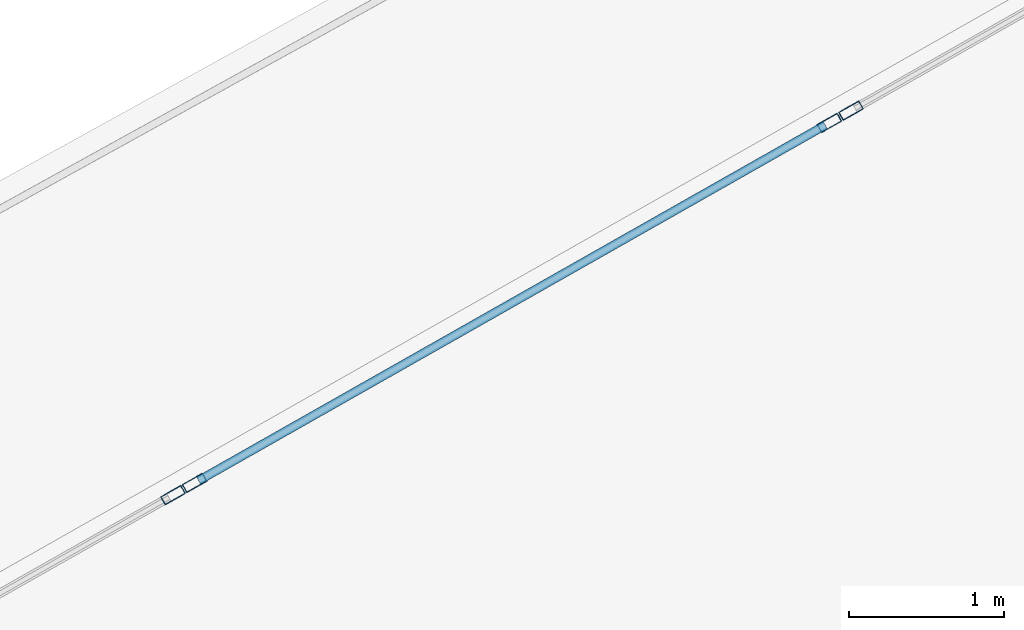
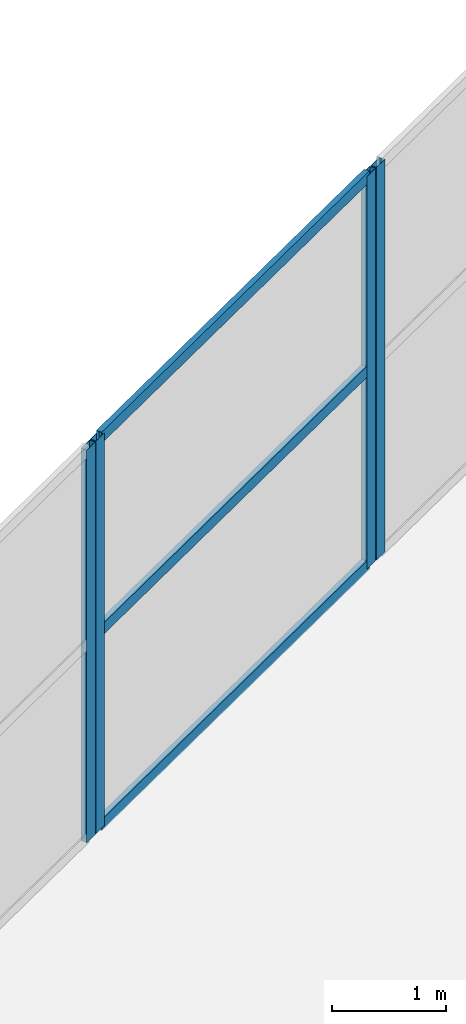
# One storey, part 46 of 123: 7 members, 3 elements without a shape of their own.
"""IFC4 building model written with IfcOpenShell, lengths in metres."""

from ifc_helpers import new_model, si_unit, direction, frame, origin, origin_2d, place, context, subcontext, project, spatial, hollow_rectangle, extrude, material, layer, layer_set, material_profile, profile_set, type_object, element, aggregate, save


model = new_model("IFC4")

# Units and contexts
model_context = context("Model", 3, precision=1e-05, world=origin(), true_north=direction((0.0, 1.0)))
body_context = subcontext(model_context, "Body", "Model", "MODEL_VIEW")
ifc_project = project(units=[si_unit("LENGTHUNIT", "METRE"), si_unit("AREAUNIT", "SQUARE_METRE"), si_unit("VOLUMEUNIT", "CUBIC_METRE"), si_unit("PLANEANGLEUNIT", "RADIAN"), si_unit("MASSUNIT", "GRAM", prefix="KILO")], contexts=[model_context])

# Site, building, storey
site_placement = place(None, origin())
site = spatial("IfcSite", under=ifc_project, at=site_placement, CompositionType="ELEMENT")
building_placement = place(site_placement, origin())
building = spatial("IfcBuilding", under=site, at=building_placement, Name="Kalgoora Escarpment Arena", CompositionType="ELEMENT")
storey_placement = place(building_placement, frame((0.0, 0.0, 9.89990234375)))
storey = spatial("IfcBuildingStorey", under=building, at=storey_placement, Name="L02", CompositionType="ELEMENT", Elevation=9.89990234375)

# Curtain wall, member
ifc_material_1 = material(Name=" Champagne anodised aluminium & double-glazed low-E", Category="aluminium")
ifc_layer_1 = layer(ifc_material_1, 0.162109375)
ifc_layer_set_1 = layer_set([ifc_layer_1], Name="CW-UNIT-13")
curtain_wall_type_1 = type_object("IfcCurtainWallType", Name="CW-UNIT-13", PredefinedType="NOTDEFINED", material=ifc_layer_set_1)
curtain_wall_1_placement = place(storey_placement, origin())
curtain_wall_1 = element("IfcCurtainWall", 1, at=curtain_wall_1_placement, inside=storey, type_object=curtain_wall_type_1, Name="L02 unitised facade curtain wall 072", PredefinedType="NOTDEFINED")
ifc_material_2 = material(Name="Anodised aluminium 6063-T6", Category="aluminium")
ifc_material_profile_1 = material_profile(ifc_material_2, hollow_rectangle(XDim=0.06005859375, YDim=0.14990234375, WallThickness=0.00341796875, at=origin_2d()))
ifc_profile_set_1 = profile_set([ifc_material_profile_1], Name="Anodised aluminium 6063-T6")
member_type_1 = type_object("IfcMemberType", Name="MEM-CW-MULL-150", PredefinedType="MULLION", material=ifc_profile_set_1)
member_1_placement = place(storey_placement, frame((42.481689453125, 112.031494140625, 0.02001953125), z_axis=(0.0, 0.0, 1.0), x_axis=(-0.493330368859, 0.869842024256, 0.0)))
member_1 = element("IfcMember", 2, at=member_1_placement, type_object=member_type_1, Name="CW-13 mullion 2", PredefinedType="MULLION", context=body_context, shape_type="SweptSolid", body=[
    extrude(hollow_rectangle(XDim=0.06005859375, YDim=0.14990234375, WallThickness=0.00341796875, at=origin_2d()), origin(), (0.0, 0.0, 1.0), 4.205078125),
])
aggregate(curtain_wall_1, [member_1])

# Curtain wall, members
ifc_material_3 = material(Name=" Champagne anodised aluminium & double-glazed low-E", Category="aluminium")
ifc_layer_2 = layer(ifc_material_3, 0.166015625)
ifc_layer_set_2 = layer_set([ifc_layer_2], Name="CW-UNIT-14")
curtain_wall_type_2 = type_object("IfcCurtainWallType", Name="CW-UNIT-14", PredefinedType="NOTDEFINED", material=ifc_layer_set_2)
curtain_wall_2_placement = place(storey_placement, origin())
curtain_wall_2 = element("IfcCurtainWall", 3, at=curtain_wall_2_placement, inside=storey, type_object=curtain_wall_type_2, Name="L02 unitised facade curtain wall 073", PredefinedType="NOTDEFINED")
member_2_placement = place(storey_placement, frame((42.62060546875, 112.1103515625, 0.02001953125), z_axis=(0.0, 0.0, 1.0), x_axis=(-0.493346280042, 0.869833000046, 0.0)))
member_2 = element("IfcMember", 4, at=member_2_placement, type_object=member_type_1, Name="CW-14 mullion 1", PredefinedType="MULLION", context=body_context, shape_type="SweptSolid", body=[
    extrude(hollow_rectangle(XDim=0.06005859375, YDim=0.14990234375, WallThickness=0.00341796875, at=origin_2d()), origin(), (0.0, 0.0, 1.0), 4.205078125),
])
member_3_placement = place(storey_placement, frame((46.704833984375, 114.4267578125, 0.02001953125), z_axis=(0.0, 0.0, 1.0), x_axis=(-0.493346280042, 0.869833000046, 0.0)))
member_3 = element("IfcMember", 5, at=member_3_placement, type_object=member_type_1, Name="CW-14 mullion 2", PredefinedType="MULLION", context=body_context, shape_type="SweptSolid", body=[
    extrude(hollow_rectangle(XDim=0.06005859375, YDim=0.14990234375, WallThickness=0.00341796875, at=origin_2d()), origin(), (0.0, 0.0, 1.0), 4.205078125),
])

# Curtain wall, member
ifc_material_4 = material(Name=" Champagne anodised aluminium & double-glazed low-E", Category="aluminium")
ifc_layer_3 = layer(ifc_material_4, 0.14990234375)
ifc_layer_set_3 = layer_set([ifc_layer_3], Name="CW-UNIT-15")
curtain_wall_type_3 = type_object("IfcCurtainWallType", Name="CW-UNIT-15", PredefinedType="NOTDEFINED", material=ifc_layer_set_3)
curtain_wall_3_placement = place(storey_placement, origin())
curtain_wall_3 = element("IfcCurtainWall", 6, at=curtain_wall_3_placement, inside=storey, type_object=curtain_wall_type_3, Name="L02 unitised facade curtain wall 074", PredefinedType="NOTDEFINED")
member_4_placement = place(storey_placement, frame((46.843994140625, 114.505615234375, 0.02001953125), z_axis=(0.0, 0.0, 1.0), x_axis=(-0.49334386581, 0.86983436933, 0.0)))
member_4 = element("IfcMember", 7, at=member_4_placement, type_object=member_type_1, Name="CW-15 mullion 1", PredefinedType="MULLION", context=body_context, shape_type="SweptSolid", body=[
    extrude(hollow_rectangle(XDim=0.06005859375, YDim=0.14990234375, WallThickness=0.00341796875, at=origin_2d()), origin(), (0.0, 0.0, 1.0), 4.205078125),
])
aggregate(curtain_wall_3, [member_4])

# Member
ifc_material_5 = material(Name="Anodised aluminium 6063-T6", Category="aluminium")
ifc_material_profile_2 = material_profile(ifc_material_5, hollow_rectangle(XDim=0.054931640625, YDim=0.1201171875, WallThickness=0.003173828125, at=origin_2d()))
ifc_profile_set_2 = profile_set([ifc_material_profile_2], Name="Anodised aluminium 6063-T6")
member_type_2 = type_object("IfcMemberType", Name="MEM-CW-TRAN-120", PredefinedType="USERDEFINED", material=ifc_profile_set_2)
member_5_placement = place(storey_placement, frame((42.646728515625, 112.125244140625, 0.047607421875), z_axis=(0.8698300925, 0.493351406385, 0.0), x_axis=(-0.493351406385, 0.8698300925, 0.0)))
member_5 = element("IfcMember", 8, at=member_5_placement, type_object=member_type_2, Name="CW-14 transom 1.1", ObjectType="TRANSOM", PredefinedType="USERDEFINED", context=body_context, shape_type="SweptSolid", body=[
    extrude(hollow_rectangle(XDim=0.054931640625, YDim=0.1201171875, WallThickness=0.003173828125, at=origin_2d()), origin(), (0.0, 0.0, 1.0), 4.63525390625),
])

member_6_placement = place(storey_placement, frame((42.646728515625, 112.125244140625, 2.132568359375), z_axis=(0.8698300925, 0.493351406385, 0.0), x_axis=(-0.493351406385, 0.8698300925, 0.0)))
member_6 = element("IfcMember", 9, at=member_6_placement, type_object=member_type_2, Name="CW-14 transom 1.2", ObjectType="TRANSOM", PredefinedType="USERDEFINED", context=body_context, shape_type="SweptSolid", body=[
    extrude(hollow_rectangle(XDim=0.054931640625, YDim=0.1201171875, WallThickness=0.003173828125, at=origin_2d()), origin(), (0.0, 0.0, 1.0), 4.63525390625),
])

member_7_placement = place(storey_placement, frame((42.646728515625, 112.125244140625, 4.197509765625), z_axis=(0.8698300925, 0.493351406385, 0.0), x_axis=(-0.493351406385, 0.8698300925, 0.0)))
member_7 = element("IfcMember", 10, at=member_7_placement, type_object=member_type_2, Name="CW-14 transom 1.3", ObjectType="TRANSOM", PredefinedType="USERDEFINED", context=body_context, shape_type="SweptSolid", body=[
    extrude(hollow_rectangle(XDim=0.054931640625, YDim=0.1201171875, WallThickness=0.003173828125, at=origin_2d()), origin(), (0.0, 0.0, 1.0), 4.63525390625),
])

aggregate(curtain_wall_2, [member_2, member_3, member_5, member_6, member_7])

save(model, "model.ifc")
